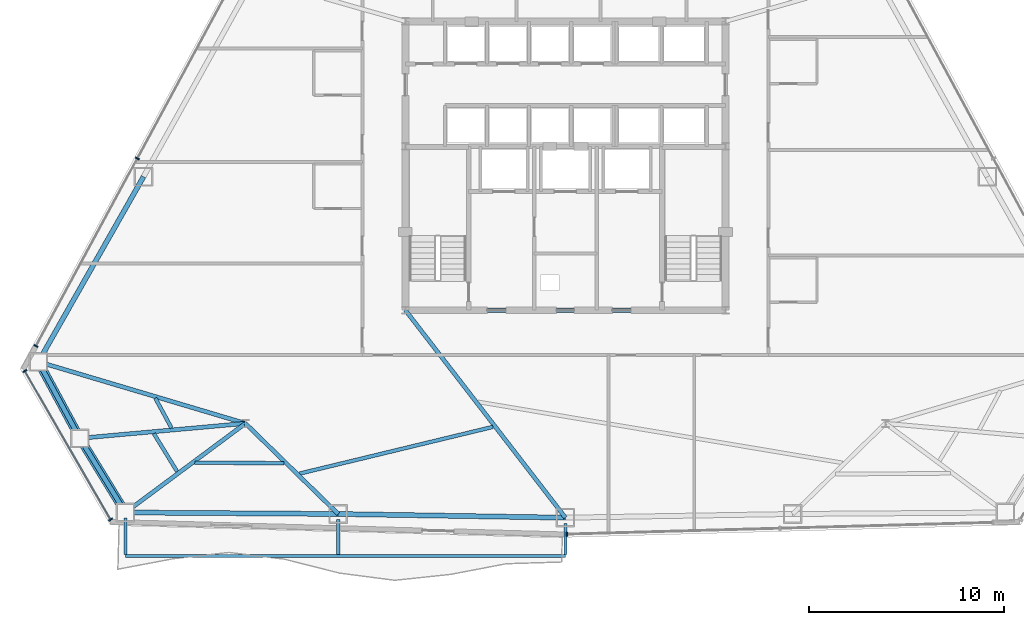
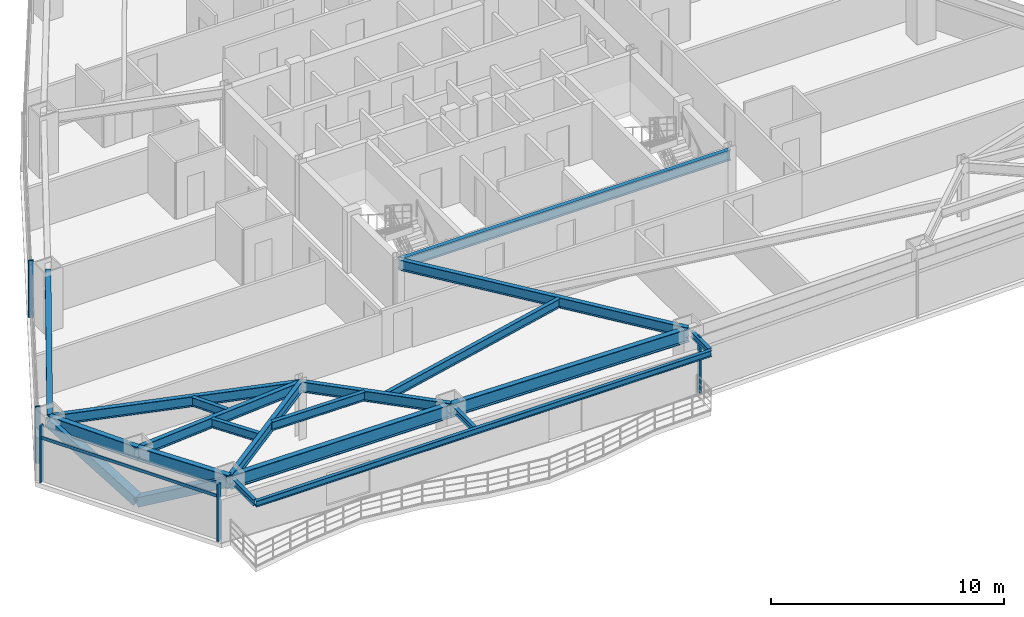
# One storey, part 4 of 13: 19 beams, 8 members, 3 elements without a shape of their own.
"""IFC4 building model written with IfcOpenShell, lengths in metres."""

from ifc_helpers import new_model, si_unit, direction, frame, origin, origin_2d, place, context, subcontext, project, spatial, rectangle, hollow_rectangle, i_section, extrude, source, transform, mapped, material, layer, layer_set, material_profile, profile_set, type_object, type_shapes, element, aggregate, save


model = new_model("IFC4")

# Units and contexts
model_context = context("Model", 3, precision=1e-05, world=origin(), true_north=direction((0.0, 1.0)))
body_context = subcontext(model_context, "Body", "Model", "MODEL_VIEW")
ifc_project = project(units=[si_unit("LENGTHUNIT", "METRE"), si_unit("AREAUNIT", "SQUARE_METRE"), si_unit("VOLUMEUNIT", "CUBIC_METRE"), si_unit("PLANEANGLEUNIT", "RADIAN"), si_unit("MASSUNIT", "GRAM", prefix="KILO")], contexts=[model_context])

# Site, building, storey
site_placement = place(None, origin())
site = spatial("IfcSite", under=ifc_project, at=site_placement, CompositionType="ELEMENT")
building_placement = place(site_placement, origin())
building = spatial("IfcBuilding", under=site, at=building_placement, Name="Varakhsha Concourse Tower", CompositionType="ELEMENT")
storey_placement = place(building_placement, frame((0.0, 0.0, 102.199951171875)))
storey = spatial("IfcBuildingStorey", under=building, at=storey_placement, Name="L29", CompositionType="ELEMENT", Elevation=102.199951171875)

# Beams
ifc_material_1 = material(Name="Structural Steel ASTM A992 Grade 50", Category="steel")
ifc_material_profile_1 = material_profile(ifc_material_1, i_section(OverallWidth=0.1669921875, OverallDepth=0.31689453125, WebThickness=0.008056640625, FlangeThickness=0.012939453125, at=origin_2d()), Name="W12X35")
ifc_profile_set_1 = profile_set([ifc_material_profile_1], Name="Structural Steel ASTM A992 Grade 50")
beam_type_1 = type_object("IfcBeamType", Name="BM-EDGE-W12X35", PredefinedType="BEAM", material=ifc_profile_set_1)
beam_1_placement = place(storey_placement, frame((17.4541015625, 3.806884765625, 2.801513671875), z_axis=(1.0, 0.0, 0.0), x_axis=(0.0, 1.0, 0.0)))
element("IfcBeam", 1, at=beam_1_placement, inside=storey, type_object=beam_type_1, Name="L30 Sky-Loggia Outer Header Girder", PredefinedType="BEAM", context=body_context, shape_type="SweptSolid", body=[
    extrude(i_section(OverallWidth=0.1669921875, OverallDepth=0.31689453125, WebThickness=0.008056640625, FlangeThickness=0.012939453125, at=origin_2d()), origin(), (0.0, 0.0, 1.0), 22.5458984375),
])
beam_2_placement = place(storey_placement, frame((17.4541015625, 5.739990234375, 2.801513671875), z_axis=(0.0, -1.0, 0.0), x_axis=(1.0, 0.0, 0.0)))
element("IfcBeam", 2, at=beam_2_placement, inside=storey, type_object=beam_type_1, Name="L30 Sky-Loggia Support Bracket 1", PredefinedType="BEAM", context=body_context, shape_type="SweptSolid", body=[
    extrude(i_section(OverallWidth=0.1669921875, OverallDepth=0.31689453125, WebThickness=0.008056640625, FlangeThickness=0.012939453125, at=origin_2d()), origin(), (0.0, 0.0, 1.0), 1.848876953125),
])
beam_3_placement = place(storey_placement, frame((28.357177734375, 5.6630859375, 2.801513671875), z_axis=(0.0, -1.0, 0.0), x_axis=(1.0, 0.0, 0.0)))
element("IfcBeam", 3, at=beam_3_placement, inside=storey, type_object=beam_type_1, Name="L30 Sky-Loggia Support Bracket 2", PredefinedType="BEAM", context=body_context, shape_type="SweptSolid", body=[
    extrude(i_section(OverallWidth=0.1669921875, OverallDepth=0.31689453125, WebThickness=0.008056640625, FlangeThickness=0.012939453125, at=origin_2d()), origin(), (0.0, 0.0, 1.0), 1.77197265625),
])
beam_4_placement = place(storey_placement, frame((40.0, 5.47412109375, 2.801513671875), z_axis=(0.0, -1.0, 0.0), x_axis=(1.0, 0.0, 0.0)))
element("IfcBeam", 4, at=beam_4_placement, inside=storey, type_object=beam_type_1, Name="L30 Sky-Loggia Support Bracket 3", PredefinedType="BEAM", context=body_context, shape_type="SweptSolid", body=[
    extrude(i_section(OverallWidth=0.1669921875, OverallDepth=0.31689453125, WebThickness=0.008056640625, FlangeThickness=0.012939453125, at=origin_2d()), origin(), (0.0, 0.0, 1.0), 1.5830078125),
])
ifc_material_profile_2 = material_profile(ifc_material_1, i_section(OverallWidth=0.19091796875, OverallDepth=0.45703125, WebThickness=0.009033203125, FlangeThickness=0.013916015625, at=origin_2d()), Name="W18X50")
ifc_profile_set_2 = profile_set([ifc_material_profile_2], Name="Structural Steel ASTM A992 Grade 50")
beam_type_2 = type_object("IfcBeamType", Name="BM-JST-W18X50", PredefinedType="JOIST", material=ifc_profile_set_2)
beam_5_placement = place(storey_placement, frame((18.986572265625, 11.892578125, 2.741455078125), z_axis=(0.476504295846, -0.879172142439, 0.0), x_axis=(0.879172142439, 0.476504295846, 0.0)))
element("IfcBeam", 5, at=beam_5_placement, inside=storey, type_object=beam_type_2, Name="BM-TJST-L29-07", PredefinedType="JOIST", context=body_context, shape_type="SweptSolid", body=[
    extrude(i_section(OverallWidth=0.19091796875, OverallDepth=0.45703125, WebThickness=0.009033203125, FlangeThickness=0.013916015625, at=origin_2d()), origin(), (0.0, 0.0, 1.0), 1.742431640625),
])
beam_6_placement = place(storey_placement, frame((18.9091796875, 10.07861328125, 2.741455078125), z_axis=(0.523044533112, -0.852305353956, 0.0), x_axis=(0.852305353956, 0.523044533112, 0.0)))
element("IfcBeam", 6, at=beam_6_placement, inside=storey, type_object=beam_type_2, Name="BM-TJST-L29-08", PredefinedType="JOIST", context=body_context, shape_type="SweptSolid", body=[
    extrude(i_section(OverallWidth=0.19091796875, OverallDepth=0.45703125, WebThickness=0.009033203125, FlangeThickness=0.013916015625, at=origin_2d()), origin(), (0.0, 0.0, 1.0), 2.27783203125),
])
beam_7_placement = place(storey_placement, frame((21.005859375, 8.590576171875, 2.741455078125), z_axis=(0.999975217478, -0.007040201008, 0.0), x_axis=(0.007040201008, 0.999975217478, 0.0)))
element("IfcBeam", 7, at=beam_7_placement, inside=storey, type_object=beam_type_2, Name="BM-TJST-L29-09", PredefinedType="JOIST", context=body_context, shape_type="SweptSolid", body=[
    extrude(i_section(OverallWidth=0.19091796875, OverallDepth=0.45703125, WebThickness=0.009033203125, FlangeThickness=0.013916015625, at=origin_2d()), origin(), (0.0, 0.0, 1.0), 4.577392578125),
])
beam_8_placement = place(storey_placement, frame((26.37109375, 8.0263671875, 2.741455078125), z_axis=(0.972049063093, 0.234777807595, 0.0), x_axis=(-0.234777807595, 0.972049063093, 0.0)))
element("IfcBeam", 8, at=beam_8_placement, inside=storey, type_object=beam_type_2, Name="BM-TJST-L29-10", PredefinedType="JOIST", context=body_context, shape_type="SweptSolid", body=[
    extrude(i_section(OverallWidth=0.19091796875, OverallDepth=0.45703125, WebThickness=0.009033203125, FlangeThickness=0.013916015625, at=origin_2d()), origin(), (0.0, 0.0, 1.0), 10.19921875),
])
ifc_material_profile_3 = material_profile(ifc_material_1, i_section(OverallWidth=0.2109375, OverallDepth=0.5390625, WebThickness=0.011962890625, FlangeThickness=0.01904296875, at=origin_2d()), Name="W21X73")
ifc_profile_set_3 = profile_set([ifc_material_profile_3], Name="Structural Steel ASTM A992 Grade 50")
beam_type_3 = type_object("IfcBeamType", Name="BM-RAD-W21X73", PredefinedType="BEAM", material=ifc_profile_set_3)
beam_9_placement = place(storey_placement, frame((31.800048828125, 16.39990234375, 2.700439453125), z_axis=(1.0, 0.0, 0.0), x_axis=(0.0, 1.0, 0.0)))
element("IfcBeam", 9, at=beam_9_placement, inside=storey, type_object=beam_type_3, Name="BM-TCORE-L29-CS", PredefinedType="BEAM", context=body_context, shape_type="SweptSolid", body=[
    extrude(i_section(OverallWidth=0.2109375, OverallDepth=0.5390625, WebThickness=0.011962890625, FlangeThickness=0.01904296875, at=origin_2d()), origin(), (0.0, 0.0, 1.0), 16.39990234375),
])
beam_10_placement = place(storey_placement, frame((23.60009765625, 10.60009765625, 2.700439453125), z_axis=(-0.958430242981, 0.285326951653, 0.0), x_axis=(-0.285326951653, -0.958430242981, 0.0)))
element("IfcBeam", 10, at=beam_10_placement, inside=storey, type_object=beam_type_3, Name="L29 Radial Floor Girder 07", PredefinedType="BEAM", context=body_context, shape_type="SweptSolid", body=[
    extrude(i_section(OverallWidth=0.2109375, OverallDepth=0.5390625, WebThickness=0.011962890625, FlangeThickness=0.01904296875, at=origin_2d()), origin(), (0.0, 0.0, 1.0), 11.064453125),
])
beam_11_placement = place(storey_placement, frame((23.60009765625, 10.60009765625, 2.700439453125), z_axis=(-0.995965985667, -0.089731574119, 0.0), x_axis=(0.089731574119, -0.995965985667, 0.0)))
element("IfcBeam", 11, at=beam_11_placement, inside=storey, type_object=beam_type_3, Name="L29 Radial Floor Girder 08", PredefinedType="BEAM", context=body_context, shape_type="SweptSolid", body=[
    extrude(i_section(OverallWidth=0.2109375, OverallDepth=0.5390625, WebThickness=0.011962890625, FlangeThickness=0.01904296875, at=origin_2d()), origin(), (0.0, 0.0, 1.0), 8.513427734375),
])
beam_12_placement = place(storey_placement, frame((23.60009765625, 10.60009765625, 2.700439453125), z_axis=(-0.802769579704, -0.596289360883, 0.0), x_axis=(0.596289360883, -0.802769579704, 0.0)))
element("IfcBeam", 12, at=beam_12_placement, inside=storey, type_object=beam_type_3, Name="L29 Radial Floor Girder 09", PredefinedType="BEAM", context=body_context, shape_type="SweptSolid", body=[
    extrude(i_section(OverallWidth=0.2109375, OverallDepth=0.5390625, WebThickness=0.011962890625, FlangeThickness=0.01904296875, at=origin_2d()), origin(), (0.0, 0.0, 1.0), 7.656005859375),
])
beam_13_placement = place(storey_placement, frame((23.60009765625, 10.60009765625, 2.700439453125), z_axis=(0.715722386473, -0.698384897819, 0.0), x_axis=(0.698384897819, 0.715722386473, 0.0)))
element("IfcBeam", 13, at=beam_13_placement, inside=storey, type_object=beam_type_3, Name="L29 Radial Floor Girder 10", PredefinedType="BEAM", context=body_context, shape_type="SweptSolid", body=[
    extrude(i_section(OverallWidth=0.2109375, OverallDepth=0.5390625, WebThickness=0.011962890625, FlangeThickness=0.01904296875, at=origin_2d()), origin(), (0.0, 0.0, 1.0), 6.646484375),
])
beam_14_placement = place(storey_placement, frame((31.800048828125, 16.39990234375, 2.700439453125), z_axis=(0.610756875682, -0.791818185449, 0.0), x_axis=(0.791818185449, 0.610756875682, 0.0)))
element("IfcBeam", 14, at=beam_14_placement, inside=storey, type_object=beam_type_3, Name="L29 Radial Floor Girder 11", PredefinedType="BEAM", context=body_context, shape_type="SweptSolid", body=[
    extrude(i_section(OverallWidth=0.2109375, OverallDepth=0.5390625, WebThickness=0.011962890625, FlangeThickness=0.01904296875, at=origin_2d()), origin(), (0.0, 0.0, 1.0), 13.42578125),
])
ifc_material_profile_4 = material_profile(ifc_material_1, i_section(OverallWidth=0.25390625, OverallDepth=0.701904296875, WebThickness=0.014892578125, FlangeThickness=0.028076171875, at=origin_2d()), Name="W27X129")
ifc_profile_set_4 = profile_set([ifc_material_profile_4], Name="Structural Steel ASTM A992 Grade 50")
beam_type_4 = type_object("IfcBeamType", Name="BM-SPAN-W27X129", PredefinedType="SPANDREL", material=ifc_profile_set_4)
beam_15_placement = place(storey_placement, frame((18.380615234375, 23.238037109375, 2.619140625), z_axis=(-0.49387783637, -0.869531300611, 0.0), x_axis=(0.869531300611, -0.49387783637, 0.0)))
element("IfcBeam", 15, at=beam_15_placement, inside=storey, type_object=beam_type_4, Name="BM-SPAN-L29-06", PredefinedType="SPANDREL", context=body_context, shape_type="SweptSolid", body=[
    extrude(i_section(OverallWidth=0.25390625, OverallDepth=0.701904296875, WebThickness=0.014892578125, FlangeThickness=0.028076171875, at=origin_2d()), origin(), (0.0, 0.0, 1.0), 10.903564453125),
])
beam_16_placement = place(storey_placement, frame((12.99560546875, 13.757080078125, 2.619140625), z_axis=(0.476572329896, -0.87913526512, 0.0), x_axis=(0.87913526512, 0.476572329896, 0.0)))
element("IfcBeam", 16, at=beam_16_placement, inside=storey, type_object=beam_type_4, Name="BM-SPAN-L29-07", PredefinedType="SPANDREL", context=body_context, shape_type="SweptSolid", body=[
    extrude(i_section(OverallWidth=0.25390625, OverallDepth=0.701904296875, WebThickness=0.014892578125, FlangeThickness=0.028076171875, at=origin_2d()), origin(), (0.0, 0.0, 1.0), 4.4599609375),
])
beam_17_placement = place(storey_placement, frame((15.12109375, 9.836181640625, 2.619140625), z_axis=(0.523083096004, -0.852281687399, 0.0), x_axis=(0.852281687399, 0.523083096004, 0.0)))
element("IfcBeam", 17, at=beam_17_placement, inside=storey, type_object=beam_type_4, Name="BM-SPAN-L29-08", PredefinedType="SPANDREL", context=body_context, shape_type="SweptSolid", body=[
    extrude(i_section(OverallWidth=0.25390625, OverallDepth=0.701904296875, WebThickness=0.014892578125, FlangeThickness=0.028076171875, at=origin_2d()), origin(), (0.0, 0.0, 1.0), 4.460205078125),
])
beam_18_placement = place(storey_placement, frame((17.4541015625, 6.034912109375, 2.59912109375), z_axis=(0.999975283031, -0.007030883783, 0.0), x_axis=(0.007030883783, 0.999975283031, 0.0)))
element("IfcBeam", 18, at=beam_18_placement, inside=storey, type_object=beam_type_4, Name="BM-SPAN-L29-09", PredefinedType="SPANDREL", context=body_context, shape_type="SweptSolid", body=[
    extrude(i_section(OverallWidth=0.25390625, OverallDepth=0.701904296875, WebThickness=0.014892578125, FlangeThickness=0.028076171875, at=origin_2d()), origin(), (0.0, 0.0, 1.0), 10.9033203125),
])
beam_19_placement = place(storey_placement, frame((28.357177734375, 5.958251953125, 2.59912109375), z_axis=(0.999867976584, -0.016248981565, 0.0), x_axis=(0.016248981565, 0.999867976584, 0.0)))
element("IfcBeam", 19, at=beam_19_placement, inside=storey, type_object=beam_type_4, Name="BM-SPAN-L29-10", PredefinedType="SPANDREL", context=body_context, shape_type="SweptSolid", body=[
    extrude(i_section(OverallWidth=0.25390625, OverallDepth=0.701904296875, WebThickness=0.014892578125, FlangeThickness=0.028076171875, at=origin_2d()), origin(), (0.0, 0.0, 1.0), 11.644287109375),
])

# Members
ifc_material_2 = material(Name="Structural Steel ASTM A500 Grade C", Category="steel")
ifc_material_profile_5 = material_profile(ifc_material_2, hollow_rectangle(XDim=0.449951171875, YDim=0.449951171875, WallThickness=0.01904296875, at=origin_2d()), Name="HSS 450x450x19")
ifc_profile_set_5 = profile_set([ifc_material_profile_5], Name="Structural Steel ASTM A500 Grade C")
member_type_1 = type_object("IfcMemberType", Name="MB-TUBE-HSS450", PredefinedType="BRACE", material=ifc_profile_set_5)
shared_shape_1 = source(origin(), body_context, "Body", "SweptSolid", [
    extrude(hollow_rectangle(XDim=0.449951171875, YDim=0.449951171875, WallThickness=0.01904296875, at=origin_2d()), origin(), (0.0, 0.0, 1.0), 5.1376953125),
])
member_1_placement = place(storey_placement, frame((15.12109375, 9.836181640625, 0.1201171875), z_axis=(0.454101242407, -0.739886599443, 0.496346533794), x_axis=(0.852281687399, 0.523083096004, 0.0)))
element("IfcMember", 20, at=member_1_placement, inside=storey, type_object=member_type_1, Name="L29 Wind-Corner Tube Brace B04", PredefinedType="BRACE", context=body_context, shape_type="MappedRepresentation", body=[
    mapped(shared_shape_1, transform((0.0, 0.0, 0.0), scale=1.0)),
])
shared_shape_2 = source(origin(), body_context, "Body", "SweptSolid", [
    extrude(hollow_rectangle(XDim=0.449951171875, YDim=0.449951171875, WallThickness=0.01904296875, at=origin_2d()), origin(), (0.0, 0.0, 1.0), 5.137451171875),
])
type_shapes(member_type_1, [shared_shape_1, shared_shape_2])
member_2_placement = place(storey_placement, frame((15.12109375, 9.836181640625, 0.1201171875), z_axis=(-0.413720442593, 0.763192086841, 0.49635998425), x_axis=(-0.87913526512, -0.476572329896, 0.0)))
element("IfcMember", 21, at=member_2_placement, inside=storey, type_object=member_type_1, Name="L29 Wind-Corner Tube Brace B03", PredefinedType="BRACE", context=body_context, shape_type="MappedRepresentation", body=[
    mapped(shared_shape_2, transform((0.0, 0.0, 0.0), scale=1.0)),
])

# Curtain wall, members
ifc_material_3 = material(Name="Anodised Bronze Architectural Aluminium AA 6063-T6", Category="aluminium")
ifc_layer = layer(ifc_material_3, 0.199951171875, Name="CW-SYS-03")
ifc_layer_set = layer_set([ifc_layer], Name="Anodised Bronze Architectural Aluminium AA 6063-T6")
curtain_wall_type = type_object("IfcCurtainWallType", Name="CW-SYS-03", PredefinedType="NOTDEFINED", material=ifc_layer_set)
curtain_wall_1_placement = place(storey_placement, origin())
curtain_wall_1 = element("IfcCurtainWall", 22, at=curtain_wall_1_placement, inside=storey, type_object=curtain_wall_type, Name="L29 Crystal Curtain Wall F3", PredefinedType="NOTDEFINED")
ifc_material_profile_6 = material_profile(ifc_material_3, rectangle(XDim=0.074951171875, YDim=0.219970703125, at=origin_2d()), Name="CWM-220X75")
ifc_profile_set_6 = profile_set([ifc_material_profile_6], Name="Anodised Bronze Architectural Aluminium AA 6063-T6")
member_type_2 = type_object("IfcMemberType", Name="CWM-220X75", PredefinedType="MULLION", material=ifc_profile_set_6)
shared_shape_3 = source(origin(), body_context, "Body", "SweptSolid", [
    extrude(rectangle(XDim=0.074951171875, YDim=0.219970703125, at=origin_2d()), origin(), (0.0, 0.0, 1.0), 2.969970703125),
])
type_shapes(member_type_2, [shared_shape_3])
member_3_placement = place(storey_placement, frame((12.8681640625, 14.56494140625, 0.0), z_axis=(0.0, 0.0, 1.0), x_axis=(0.475958864887, 0.879467542855, 0.0)))
member_3 = element("IfcMember", 23, at=member_3_placement, type_object=member_type_2, Name="CW-L29-F3 Mullion 00", PredefinedType="MULLION", context=body_context, shape_type="MappedRepresentation", body=[
    mapped(shared_shape_3, transform((0.0, 0.0, 0.0), scale=1.0)),
])
member_4_placement = place(storey_placement, frame((18.06640625, 24.169921875, 0.0), z_axis=(0.0, 0.0, 1.0), x_axis=(0.475958864887, 0.879467542855, 0.0)))
member_4 = element("IfcMember", 24, at=member_4_placement, type_object=member_type_2, Name="CW-L29-F3 Mullion 01", PredefinedType="MULLION", context=body_context, shape_type="MappedRepresentation", body=[
    mapped(shared_shape_3, transform((0.0, 0.0, 0.0), scale=1.0)),
])
aggregate(curtain_wall_1, [member_3, member_4])

curtain_wall_2_placement = place(storey_placement, origin())
curtain_wall_2 = element("IfcCurtainWall", 25, at=curtain_wall_2_placement, inside=storey, type_object=curtain_wall_type, Name="L29 Chamfer Curtain Wall F4", PredefinedType="NOTDEFINED")
member_5_placement = place(storey_placement, frame((16.694580078125, 5.67041015625, 0.0), z_axis=(0.0, 0.0, 1.0), x_axis=(-0.499996976998, 0.866027149108, 0.0)))
member_5 = element("IfcMember", 26, at=member_5_placement, type_object=member_type_2, Name="CW-L29-F4 Mullion 00", PredefinedType="MULLION", context=body_context, shape_type="MappedRepresentation", body=[
    mapped(shared_shape_3, transform((0.0, 0.0, 0.0), scale=1.0)),
])
member_6_placement = place(storey_placement, frame((12.30029296875, 13.28173828125, 0.0), z_axis=(0.0, 0.0, 1.0), x_axis=(-0.499996976998, 0.866027149108, 0.0)))
member_6 = element("IfcMember", 27, at=member_6_placement, type_object=member_type_2, Name="CW-L29-F4 Mullion 01", PredefinedType="MULLION", context=body_context, shape_type="MappedRepresentation", body=[
    mapped(shared_shape_3, transform((0.0, 0.0, 0.0), scale=1.0)),
])

# Curtain wall, member
curtain_wall_3_placement = place(storey_placement, origin())
curtain_wall_3 = element("IfcCurtainWall", 28, at=curtain_wall_3_placement, inside=storey, type_object=curtain_wall_type, Name="L29 Crystal Curtain Wall F6", PredefinedType="NOTDEFINED")
member_7_placement = place(storey_placement, frame((40.07568359375, 4.919189453125, 0.0), z_axis=(0.0, 0.0, 1.0), x_axis=(-0.99962052214, -0.02754653728, 0.0)))
member_7 = element("IfcMember", 29, at=member_7_placement, type_object=member_type_2, Name="CW-L29-F6 Mullion 02", PredefinedType="MULLION", context=body_context, shape_type="MappedRepresentation", body=[
    mapped(shared_shape_3, transform((0.0, 0.0, 0.0), scale=1.0)),
])
aggregate(curtain_wall_3, [member_7])

# Member
ifc_material_profile_7 = material_profile(ifc_material_3, rectangle(XDim=0.06494140625, YDim=0.159912109375, at=origin_2d()), Name="CWT-160X65")
ifc_profile_set_7 = profile_set([ifc_material_profile_7], Name="Anodised Bronze Architectural Aluminium AA 6063-T6")
member_type_3 = type_object("IfcMemberType", Name="CWT-160X65", PredefinedType="USERDEFINED", material=ifc_profile_set_7)
shared_shape_4 = source(origin(), body_context, "Body", "SweptSolid", [
    extrude(rectangle(XDim=0.06494140625, YDim=0.159912109375, at=origin_2d()), origin(), (0.0, 0.0, 1.0), 8.788818359375),
])
type_shapes(member_type_3, [shared_shape_4])
member_8_placement = place(storey_placement, frame((16.694580078125, 5.67041015625, 2.320068359375), z_axis=(-0.499990166443, 0.866031081117, 0.0), x_axis=(-0.866031081117, -0.499990166443, 0.0)))
member_8 = element("IfcMember", 30, at=member_8_placement, type_object=member_type_3, Name="CW-L29-F4 Transom 01", ObjectType="TRANSOM", PredefinedType="USERDEFINED", context=body_context, shape_type="MappedRepresentation", body=[
    mapped(shared_shape_4, transform((0.0, 0.0, 0.0), scale=1.0)),
])

aggregate(curtain_wall_2, [member_5, member_6, member_8])

save(model, "model.ifc")
